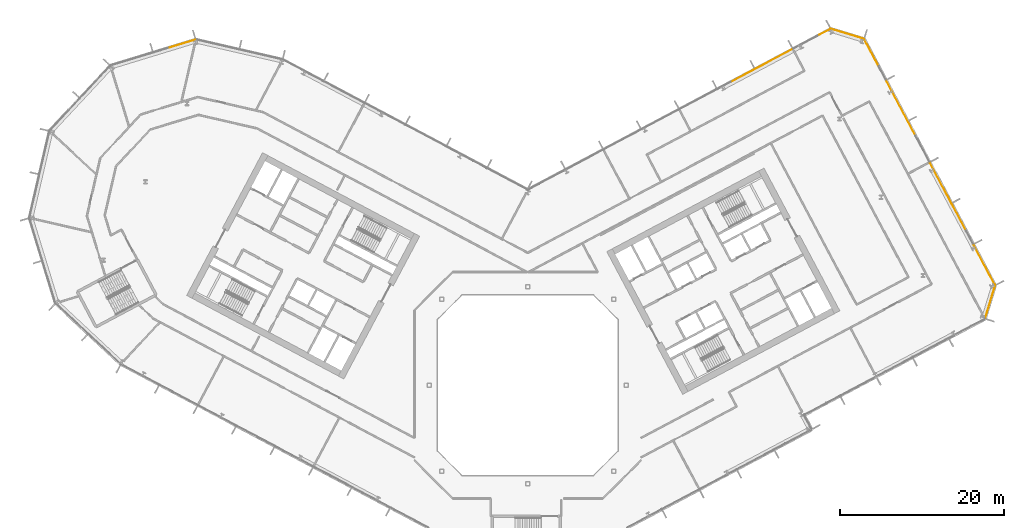
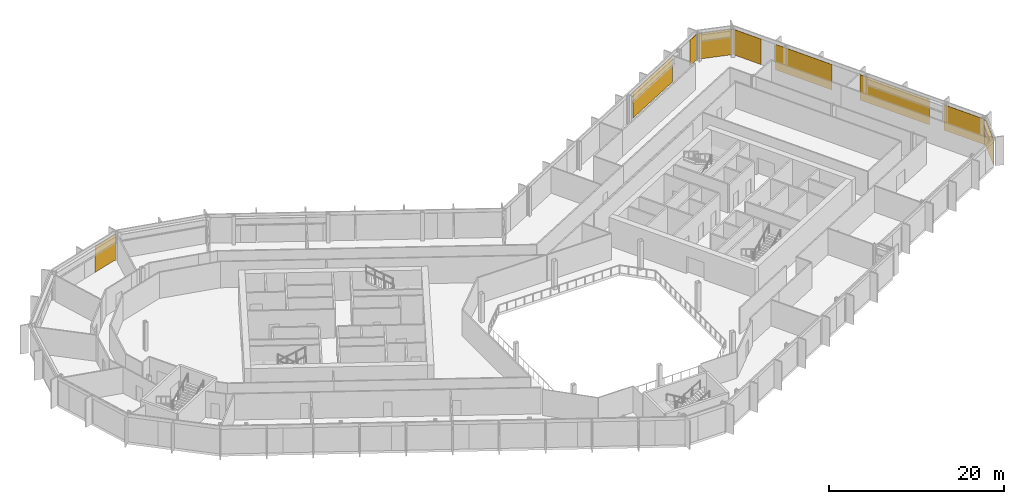
# One storey, part 28 of 28: 9 coverings, 5 elements without a shape of their own.
"""IFC4 building model written with IfcOpenShell, lengths in metres."""

from ifc_helpers import new_model, si_unit, direction, frame, origin, origin_2d, place, context, subcontext, project, spatial, rectangle, extrude, material, layer, layer_set, type_object, element, aggregate, save


model = new_model("IFC4")

# Units and contexts
model_context = context("Model", 3, precision=1e-05, world=origin(), true_north=direction((0.0, 1.0)))
body_context = subcontext(model_context, "Body", "Model", "MODEL_VIEW")
ifc_project = project(units=[si_unit("LENGTHUNIT", "METRE"), si_unit("AREAUNIT", "SQUARE_METRE"), si_unit("VOLUMEUNIT", "CUBIC_METRE"), si_unit("PLANEANGLEUNIT", "RADIAN"), si_unit("MASSUNIT", "GRAM", prefix="KILO")], contexts=[model_context])

# Site, building, storey
site_placement = place(None, origin())
site = spatial("IfcSite", under=ifc_project, at=site_placement, CompositionType="ELEMENT")
building_placement = place(site_placement, origin())
building = spatial("IfcBuilding", under=site, at=building_placement, Name="Cormorant Relay Tower", CompositionType="ELEMENT")
storey_placement = place(building_placement, frame((0.0, 0.0, 130.199951171875)))
storey = spatial("IfcBuildingStorey", under=building, at=storey_placement, Name="L26", CompositionType="ELEMENT", Elevation=130.199951171875)

# Curtain wall, covering
ifc_material_1 = material(Name="Aluminium 6063-T6 anodised bronze", Category="aluminium")
ifc_layer_1 = layer(ifc_material_1, 0.199951171875)
ifc_layer_set_1 = layer_set([ifc_layer_1], Name="CW1 unitised bronze curtain wall with vertical fins")
curtain_wall_type = type_object("IfcCurtainWallType", Name="CW1 unitised bronze curtain wall with vertical fins", PredefinedType="NOTDEFINED", material=ifc_layer_set_1)
curtain_wall_1_placement = place(storey_placement, origin())
curtain_wall_1 = element("IfcCurtainWall", 1, at=curtain_wall_1_placement, inside=storey, type_object=curtain_wall_type, Name="CW1 curtain wall 5", PredefinedType="NOTDEFINED")
ifc_material_2 = material(Name="Pale bronze anodised aluminium insulated panel", Category="aluminium")
ifc_layer_2 = layer(ifc_material_2, 0.0400390625)
ifc_layer_set_2 = layer_set([ifc_layer_2], Name="CW1 pale bronze insulated panel 40")
covering_type = type_object("IfcCoveringType", Name="CW1 pale bronze insulated panel 40", PredefinedType="CLADDING", material=ifc_layer_set_2)
covering_1_placement = place(storey_placement, frame((56.366455078125, 10.16455078125, 0.0), z_axis=(0.0, 0.0, 1.0), x_axis=(0.292371704723, 0.956304755963, 0.0)))
covering_1 = element("IfcCovering", 2, at=covering_1_placement, type_object=covering_type, Name="CW1 panel S00", PredefinedType="CLADDING", context=body_context, shape_type="SweptSolid", body=[
    extrude(rectangle(XDim=4.16748046875, YDim=0.0400390625, at=origin_2d()), origin(), (0.0, 0.0, 1.0), 3.550048828125),
])
aggregate(curtain_wall_1, [covering_1])

# Curtain wall, coverings
curtain_wall_2_placement = place(storey_placement, origin())
curtain_wall_2 = element("IfcCurtainWall", 3, at=curtain_wall_2_placement, inside=storey, type_object=curtain_wall_type, Name="CW1 curtain wall 6", PredefinedType="NOTDEFINED")
covering_2_placement = place(storey_placement, frame((55.64404296875, 14.67431640625, 0.0), z_axis=(0.0, 0.0, 1.0), x_axis=(-0.469471562786, 0.882947592859, 0.0)))
covering_2 = element("IfcCovering", 4, at=covering_2_placement, type_object=covering_type, Name="CW1 panel S00", PredefinedType="CLADDING", context=body_context, shape_type="SweptSolid", body=[
    extrude(rectangle(XDim=5.5166015625, YDim=0.0400390625, at=origin_2d()), origin(), (0.0, 0.0, 1.0), 3.550048828125),
])
covering_3_placement = place(storey_placement, frame((51.231201171875, 22.97412109375, 0.0), z_axis=(0.0, 0.0, 1.0), x_axis=(-0.469471562786, 0.882947592859, 0.0)))
covering_3 = element("IfcCovering", 5, at=covering_3_placement, type_object=covering_type, Name="CW1 panel S02", PredefinedType="CLADDING", context=body_context, shape_type="SweptSolid", body=[
    extrude(rectangle(XDim=9.38330078125, YDim=0.0400390625, at=origin_2d()), origin(), (0.0, 0.0, 1.0), 3.550048828125),
])
covering_4_placement = place(storey_placement, frame((45.48779296875, 33.775390625, 0.0), z_axis=(0.0, 0.0, 1.0), x_axis=(-0.469471562786, 0.882947592859, 0.0)))
covering_4 = element("IfcCovering", 6, at=covering_4_placement, type_object=covering_type, Name="CW1 panel S04", PredefinedType="CLADDING", context=body_context, shape_type="SweptSolid", body=[
    extrude(rectangle(XDim=7.583251953125, YDim=0.0400390625, at=origin_2d()), origin(), (0.0, 0.0, 1.0), 3.550048828125),
])
covering_5_placement = place(storey_placement, frame((41.90234375, 40.518798828125, 0.0), z_axis=(0.0, 0.0, 1.0), x_axis=(-0.469471562786, 0.882947592859, 0.0)))
covering_5 = element("IfcCovering", 7, at=covering_5_placement, type_object=covering_type, Name="CW1 panel S06", PredefinedType="CLADDING", context=body_context, shape_type="SweptSolid", body=[
    extrude(rectangle(XDim=3.791748046875, YDim=0.0400390625, at=origin_2d()), origin(), (0.0, 0.0, 1.0), 3.550048828125),
])
aggregate(curtain_wall_2, [covering_2, covering_3, covering_4, covering_5])

# Curtain wall, covering
curtain_wall_3_placement = place(storey_placement, origin())
curtain_wall_3 = element("IfcCurtainWall", 8, at=curtain_wall_3_placement, inside=storey, type_object=curtain_wall_type, Name="CW1 curtain wall 7", PredefinedType="NOTDEFINED")
covering_6_placement = place(storey_placement, frame((38.935791015625, 42.833740234375, 0.0), z_axis=(0.0, 0.0, 1.0), x_axis=(-0.956304755963, 0.292371704723, 0.0)))
covering_6 = element("IfcCovering", 9, at=covering_6_placement, type_object=covering_type, Name="CW1 panel S00", PredefinedType="CLADDING", context=body_context, shape_type="SweptSolid", body=[
    extrude(rectangle(XDim=4.16748046875, YDim=0.0400390625, at=origin_2d()), origin(), (0.0, 0.0, 1.0), 3.550048828125),
])
aggregate(curtain_wall_3, [covering_6])

# Curtain wall, coverings
curtain_wall_4_placement = place(storey_placement, origin())
curtain_wall_4 = element("IfcCurtainWall", 10, at=curtain_wall_4_placement, inside=storey, type_object=curtain_wall_type, Name="CW1 curtain wall 8", PredefinedType="NOTDEFINED")
covering_7_placement = place(storey_placement, frame((36.208740234375, 43.05908203125, 0.0), z_axis=(0.0, 0.0, 1.0), x_axis=(-0.882947592859, -0.469471562786, 0.0)))
covering_7 = element("IfcCovering", 11, at=covering_7_placement, type_object=covering_type, Name="CW1 panel S00", PredefinedType="CLADDING", context=body_context, shape_type="SweptSolid", body=[
    extrude(rectangle(XDim=1.479248046875, YDim=0.0400390625, at=origin_2d()), origin(), (0.0, 0.0, 1.0), 3.550048828125),
])
covering_8_placement = place(storey_placement, frame((28.48828125, 38.9541015625, 0.0), z_axis=(0.0, 0.0, 1.0), x_axis=(-0.882947592859, -0.469471562786, 0.0)))
covering_8 = element("IfcCovering", 12, at=covering_8_placement, type_object=covering_type, Name="CW1 panel S02", PredefinedType="CLADDING", context=body_context, shape_type="SweptSolid", body=[
    extrude(rectangle(XDim=8.508544921875, YDim=0.0400390625, at=origin_2d()), origin(), (0.0, 0.0, 1.0), 3.550048828125),
])
aggregate(curtain_wall_4, [covering_7, covering_8])

# Curtain wall, covering
curtain_wall_5_placement = place(storey_placement, origin())
curtain_wall_5 = element("IfcCurtainWall", 13, at=curtain_wall_5_placement, inside=storey, type_object=curtain_wall_type, Name="CW1 curtain wall 11", PredefinedType="NOTDEFINED")
covering_9_placement = place(storey_placement, frame((-42.209716796875, 41.60107421875, 0.0), z_axis=(0.0, 0.0, 1.0), x_axis=(-0.956304755963, -0.292371704723, 0.0)))
covering_9 = element("IfcCovering", 14, at=covering_9_placement, type_object=covering_type, Name="CW1 panel S00", PredefinedType="CLADDING", context=body_context, shape_type="SweptSolid", body=[
    extrude(rectangle(XDim=3.485107421875, YDim=0.0400390625, at=origin_2d()), origin(), (0.0, 0.0, 1.0), 3.550048828125),
])
aggregate(curtain_wall_5, [covering_9])

save(model, "model.ifc")
